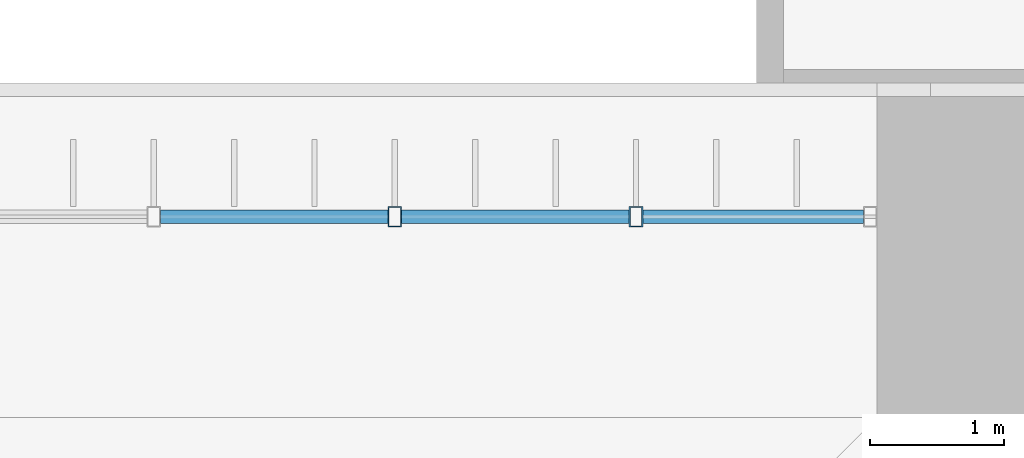
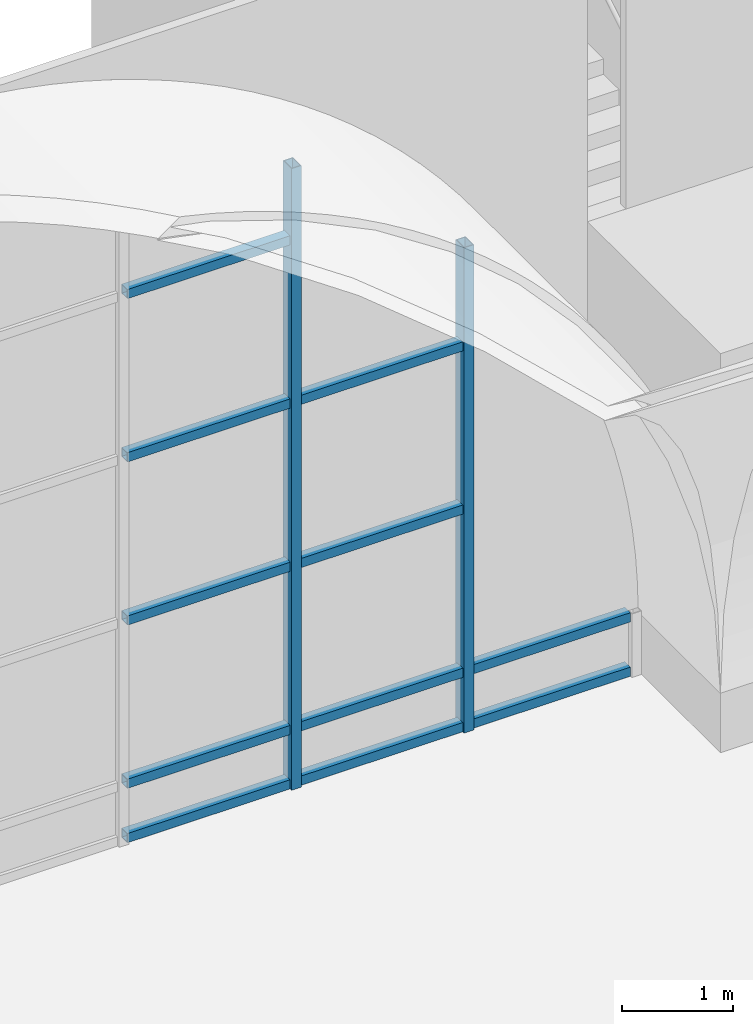
# One storey, part 29 of 169: 13 members, 1 element without a shape of its own.
"""IFC4 building model written with IfcOpenShell, lengths in metres."""

from ifc_helpers import new_model, si_unit, direction, frame, origin, origin_2d, place, context, subcontext, project, spatial, hollow_rectangle, extrude, material, layer, layer_set, material_profile, profile_set, type_object, element, aggregate, save


model = new_model("IFC4")

# Units and contexts
model_context = context("Model", 3, precision=1e-05, world=origin(), true_north=direction((0.0, 1.0)))
body_context = subcontext(model_context, "Body", "Model", "MODEL_VIEW")
ifc_project = project(units=[si_unit("LENGTHUNIT", "METRE"), si_unit("AREAUNIT", "SQUARE_METRE"), si_unit("VOLUMEUNIT", "CUBIC_METRE"), si_unit("PLANEANGLEUNIT", "RADIAN"), si_unit("MASSUNIT", "GRAM", prefix="KILO")], contexts=[model_context])

# Site, building, storey
site_placement = place(None, origin())
site = spatial("IfcSite", under=ifc_project, at=site_placement, CompositionType="ELEMENT")
building_placement = place(site_placement, origin())
building = spatial("IfcBuilding", under=site, at=building_placement, Name="Verrick Yard Athletic Hall", CompositionType="ELEMENT")
storey_placement = place(building_placement, frame((0.0, 0.0, 4.39990234375)))
storey = spatial("IfcBuildingStorey", under=building, at=storey_placement, Name="L01", CompositionType="ELEMENT", Elevation=4.39990234375)

# Curtain wall, members
ifc_material_1 = material(Name="Aluminium and glass curtain wall", Category="aluminium")
ifc_layer = layer(ifc_material_1, 0.14990234375)
ifc_layer_set = layer_set([ifc_layer], Name="Arcade glazing arch")
curtain_wall_type = type_object("IfcCurtainWallType", Name="Arcade glazing arch", PredefinedType="NOTDEFINED", material=ifc_layer_set)
curtain_wall_placement = place(storey_placement, origin())
curtain_wall = element("IfcCurtainWall", 1, at=curtain_wall_placement, inside=storey, type_object=curtain_wall_type, Name="Arcade glazing N2", PredefinedType="NOTDEFINED")
ifc_material_2 = material(Name="Structural steel HSS Class C 350W (CSA G40.20/G40.21)", Category="steel")
ifc_material_profile_1 = material_profile(ifc_material_2, hollow_rectangle(XDim=0.1015625, YDim=0.15234375, WallThickness=0.008056640625, at=origin_2d()), Name="HSS152x102x7.9")
ifc_profile_set_1 = profile_set([ifc_material_profile_1], Name="Structural steel HSS Class C 350W (CSA G40.20/G40.21)")
member_type_1 = type_object("IfcMemberType", Name="Curtain wall mullion HSS152x102x7.9", PredefinedType="MULLION", material=ifc_profile_set_1)
member_1_placement = place(storey_placement, frame((68.800048828125, 53.10009765625, 0.0), z_axis=(0.0, 0.0, 1.0), x_axis=(1.0, 0.0, 0.0)))
member_1 = element("IfcMember", 2, at=member_1_placement, type_object=member_type_1, Name="Arcade glazing N2 mullion 7", PredefinedType="MULLION", context=body_context, shape_type="SweptSolid", body=[
    extrude(hollow_rectangle(XDim=0.1015625, YDim=0.15234375, WallThickness=0.008056640625, at=origin_2d()), origin(), (0.0, 0.0, 1.0), 6.8544921875),
])
member_2_placement = place(storey_placement, frame((70.60009765625, 53.10009765625, 0.0), z_axis=(0.0, 0.0, 1.0), x_axis=(1.0, 0.0, 0.0)))
member_2 = element("IfcMember", 3, at=member_2_placement, type_object=member_type_1, Name="Arcade glazing N2 mullion 8", PredefinedType="MULLION", context=body_context, shape_type="SweptSolid", body=[
    extrude(hollow_rectangle(XDim=0.1015625, YDim=0.15234375, WallThickness=0.008056640625, at=origin_2d()), origin(), (0.0, 0.0, 1.0), 5.351806640625),
])
ifc_material_profile_2 = material_profile(ifc_material_2, hollow_rectangle(XDim=0.1015625, YDim=0.1015625, WallThickness=0.00634765625, at=origin_2d()), Name="HSS102x102x6.4")
ifc_profile_set_2 = profile_set([ifc_material_profile_2], Name="Structural steel HSS Class C 350W (CSA G40.20/G40.21)")
member_type_2 = type_object("IfcMemberType", Name="Curtain wall transom HSS102x102x6.4", PredefinedType="USERDEFINED", material=ifc_profile_set_2)
member_3_placement = place(storey_placement, frame((67.05078125, 53.10009765625, 0.05078125), z_axis=(1.0, 0.0, 0.0), x_axis=(0.0, 1.0, 0.0)))
member_3 = element("IfcMember", 4, at=member_3_placement, type_object=member_type_2, Name="Arcade glazing N2 transom 22", ObjectType="TRANSOM", PredefinedType="USERDEFINED", context=body_context, shape_type="SweptSolid", body=[
    extrude(hollow_rectangle(XDim=0.1015625, YDim=0.1015625, WallThickness=0.00634765625, at=origin_2d()), origin(), (0.0, 0.0, 1.0), 1.698486328125),
])
member_4_placement = place(storey_placement, frame((67.05078125, 53.10009765625, 0.650146484375), z_axis=(1.0, 0.0, 0.0), x_axis=(0.0, 1.0, 0.0)))
member_4 = element("IfcMember", 5, at=member_4_placement, type_object=member_type_2, Name="Arcade glazing N2 transom 23", ObjectType="TRANSOM", PredefinedType="USERDEFINED", context=body_context, shape_type="SweptSolid", body=[
    extrude(hollow_rectangle(XDim=0.1015625, YDim=0.1015625, WallThickness=0.00634765625, at=origin_2d()), origin(), (0.0, 0.0, 1.0), 1.698486328125),
])
member_5_placement = place(storey_placement, frame((67.05078125, 53.10009765625, 2.4501953125), z_axis=(1.0, 0.0, 0.0), x_axis=(0.0, 1.0, 0.0)))
member_5 = element("IfcMember", 6, at=member_5_placement, type_object=member_type_2, Name="Arcade glazing N2 transom 24", ObjectType="TRANSOM", PredefinedType="USERDEFINED", context=body_context, shape_type="SweptSolid", body=[
    extrude(hollow_rectangle(XDim=0.1015625, YDim=0.1015625, WallThickness=0.00634765625, at=origin_2d()), origin(), (0.0, 0.0, 1.0), 1.698486328125),
])
member_6_placement = place(storey_placement, frame((67.05078125, 53.10009765625, 4.25), z_axis=(1.0, 0.0, 0.0), x_axis=(0.0, 1.0, 0.0)))
member_6 = element("IfcMember", 7, at=member_6_placement, type_object=member_type_2, Name="Arcade glazing N2 transom 25", ObjectType="TRANSOM", PredefinedType="USERDEFINED", context=body_context, shape_type="SweptSolid", body=[
    extrude(hollow_rectangle(XDim=0.1015625, YDim=0.1015625, WallThickness=0.00634765625, at=origin_2d()), origin(), (0.0, 0.0, 1.0), 1.698486328125),
])
member_7_placement = place(storey_placement, frame((67.05078125, 53.10009765625, 6.050048828125), z_axis=(1.0, 0.0, 0.0), x_axis=(0.0, 1.0, 0.0)))
member_7 = element("IfcMember", 8, at=member_7_placement, type_object=member_type_2, Name="Arcade glazing N2 transom 26", ObjectType="TRANSOM", PredefinedType="USERDEFINED", context=body_context, shape_type="SweptSolid", body=[
    extrude(hollow_rectangle(XDim=0.1015625, YDim=0.1015625, WallThickness=0.00634765625, at=origin_2d()), origin(), (0.0, 0.0, 1.0), 1.698486328125),
])
member_8_placement = place(storey_placement, frame((68.850830078125, 53.10009765625, 0.05078125), z_axis=(1.0, 0.0, 0.0), x_axis=(0.0, 1.0, 0.0)))
member_8 = element("IfcMember", 9, at=member_8_placement, type_object=member_type_2, Name="Arcade glazing N2 transom 27", ObjectType="TRANSOM", PredefinedType="USERDEFINED", context=body_context, shape_type="SweptSolid", body=[
    extrude(hollow_rectangle(XDim=0.1015625, YDim=0.1015625, WallThickness=0.00634765625, at=origin_2d()), origin(), (0.0, 0.0, 1.0), 1.698486328125),
])
member_9_placement = place(storey_placement, frame((68.850830078125, 53.10009765625, 0.650146484375), z_axis=(1.0, 0.0, 0.0), x_axis=(0.0, 1.0, 0.0)))
member_9 = element("IfcMember", 10, at=member_9_placement, type_object=member_type_2, Name="Arcade glazing N2 transom 28", ObjectType="TRANSOM", PredefinedType="USERDEFINED", context=body_context, shape_type="SweptSolid", body=[
    extrude(hollow_rectangle(XDim=0.1015625, YDim=0.1015625, WallThickness=0.00634765625, at=origin_2d()), origin(), (0.0, 0.0, 1.0), 1.698486328125),
])
member_10_placement = place(storey_placement, frame((68.850830078125, 53.10009765625, 2.4501953125), z_axis=(1.0, 0.0, 0.0), x_axis=(0.0, 1.0, 0.0)))
member_10 = element("IfcMember", 11, at=member_10_placement, type_object=member_type_2, Name="Arcade glazing N2 transom 29", ObjectType="TRANSOM", PredefinedType="USERDEFINED", context=body_context, shape_type="SweptSolid", body=[
    extrude(hollow_rectangle(XDim=0.1015625, YDim=0.1015625, WallThickness=0.00634765625, at=origin_2d()), origin(), (0.0, 0.0, 1.0), 1.698486328125),
])
member_11_placement = place(storey_placement, frame((68.850830078125, 53.10009765625, 4.25), z_axis=(1.0, 0.0, 0.0), x_axis=(0.0, 1.0, 0.0)))
member_11 = element("IfcMember", 12, at=member_11_placement, type_object=member_type_2, Name="Arcade glazing N2 transom 30", ObjectType="TRANSOM", PredefinedType="USERDEFINED", context=body_context, shape_type="SweptSolid", body=[
    extrude(hollow_rectangle(XDim=0.1015625, YDim=0.1015625, WallThickness=0.00634765625, at=origin_2d()), origin(), (0.0, 0.0, 1.0), 1.698486328125),
])
member_12_placement = place(storey_placement, frame((70.65087890625, 53.10009765625, 0.05078125), z_axis=(1.0, 0.0, 0.0), x_axis=(0.0, 1.0, 0.0)))
member_12 = element("IfcMember", 13, at=member_12_placement, type_object=member_type_2, Name="Arcade glazing N2 transom 31", ObjectType="TRANSOM", PredefinedType="USERDEFINED", context=body_context, shape_type="SweptSolid", body=[
    extrude(hollow_rectangle(XDim=0.1015625, YDim=0.1015625, WallThickness=0.00634765625, at=origin_2d()), origin(), (0.0, 0.0, 1.0), 1.64697265625),
])
member_13_placement = place(storey_placement, frame((70.65087890625, 53.10009765625, 0.650146484375), z_axis=(1.0, 0.0, 0.0), x_axis=(0.0, 1.0, 0.0)))
member_13 = element("IfcMember", 14, at=member_13_placement, type_object=member_type_2, Name="Arcade glazing N2 transom 32", ObjectType="TRANSOM", PredefinedType="USERDEFINED", context=body_context, shape_type="SweptSolid", body=[
    extrude(hollow_rectangle(XDim=0.1015625, YDim=0.1015625, WallThickness=0.00634765625, at=origin_2d()), origin(), (0.0, 0.0, 1.0), 1.64697265625),
])
aggregate(curtain_wall, [member_1, member_2, member_3, member_4, member_5, member_6, member_7, member_8, member_9, member_10, member_11, member_12, member_13])

save(model, "model.ifc")
